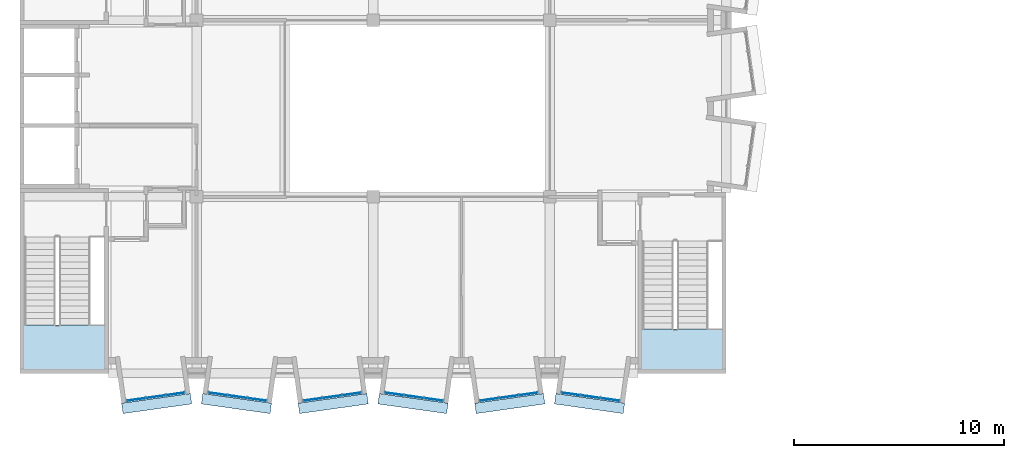
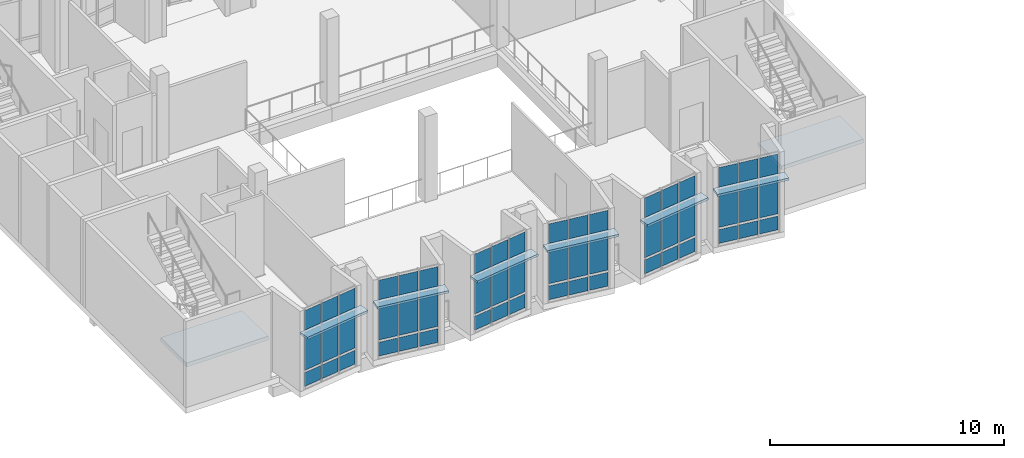
# One storey, part 68 of 95: 60 plates, 2 slabs, 8 elements without a shape of their own.
"""IFC4 building model written with IfcOpenShell, lengths in metres."""

from ifc_helpers import new_model, si_unit, direction, frame, origin, origin_2d, place, context, subcontext, project, spatial, polyline, rectangle, outline, extrude, material, layer, layer_set, type_object, element, aggregate, save


model = new_model("IFC4")

# Units and contexts
model_context = context("Model", 3, precision=1e-05, world=origin(), true_north=direction((0.0, 1.0)))
body_context = subcontext(model_context, "Body", "Model", "MODEL_VIEW")
ifc_project = project(units=[si_unit("LENGTHUNIT", "METRE"), si_unit("AREAUNIT", "SQUARE_METRE"), si_unit("VOLUMEUNIT", "CUBIC_METRE"), si_unit("PLANEANGLEUNIT", "RADIAN"), si_unit("MASSUNIT", "GRAM", prefix="KILO")], contexts=[model_context])

# Site, building, storey
site_placement = place(None, origin())
site = spatial("IfcSite", under=ifc_project, at=site_placement, CompositionType="ELEMENT")
building_placement = place(site_placement, origin())
building = spatial("IfcBuilding", under=site, at=building_placement, Name="Kiln Court Media Centre", CompositionType="ELEMENT")
storey_placement = place(building_placement, frame((0.0, 0.0, 24.60009765625)))
storey = spatial("IfcBuildingStorey", under=building, at=storey_placement, Name="L05", CompositionType="ELEMENT", Elevation=24.60009765625)

# Plates
ifc_material_1 = material(Name="Concrete C30/37", Category="concrete")
ifc_layer_1 = layer(ifc_material_1, 0.1201171875)
ifc_layer_set_1 = layer_set([ifc_layer_1], Name="Concrete C30/37 sunshade hood 120")
plate_type_1 = type_object("IfcPlateType", Name="Concrete C30/37 sunshade hood 120", PredefinedType="USERDEFINED", material=ifc_layer_set_1)
plate_1_placement = place(storey_placement, frame((0.0, 0.0, 3.0)))
element("IfcPlate", 1, at=plate_1_placement, inside=storey, type_object=plate_type_1, Name="SUNSHADE V6A-S-L05-32", ObjectType="SUNSHADE", PredefinedType="USERDEFINED", context=body_context, shape_type="SweptSolid", body=[
    extrude(outline(polyline([(4.8330078125, -1.41796875), (8.10107421875, -0.958740234375), (8.17041015625, -1.453857421875), (4.902587890625, -1.9130859375), (4.8330078125, -1.41796875)])), origin(), (0.0, 0.0, 1.0), 0.119873046875),
])
plate_2_placement = place(storey_placement, frame((0.0, 0.0, 3.0)))
element("IfcPlate", 2, at=plate_2_placement, inside=storey, type_object=plate_type_1, Name="SUNSHADE V6A-S-L05-33", ObjectType="SUNSHADE", PredefinedType="USERDEFINED", context=body_context, shape_type="SweptSolid", body=[
    extrude(outline(polyline([(8.698974609375, -0.958740234375), (11.966796875, -1.41796875), (11.897216796875, -1.9130859375), (8.62939453125, -1.453857421875), (8.698974609375, -0.958740234375)])), origin(), (0.0, 0.0, 1.0), 0.119873046875),
])
plate_3_placement = place(storey_placement, frame((0.0, 0.0, 3.0)))
element("IfcPlate", 3, at=plate_3_placement, inside=storey, type_object=plate_type_1, Name="SUNSHADE V6A-S-L05-34", ObjectType="SUNSHADE", PredefinedType="USERDEFINED", context=body_context, shape_type="SweptSolid", body=[
    extrude(outline(polyline([(13.233154296875, -1.41796875), (16.5009765625, -0.958740234375), (16.570556640625, -1.453857421875), (13.302734375, -1.9130859375), (13.233154296875, -1.41796875)])), origin(), (0.0, 0.0, 1.0), 0.119873046875),
])
plate_4_placement = place(storey_placement, frame((0.0, 0.0, 3.0)))
element("IfcPlate", 4, at=plate_4_placement, inside=storey, type_object=plate_type_1, Name="SUNSHADE V6A-S-L05-35", ObjectType="SUNSHADE", PredefinedType="USERDEFINED", context=body_context, shape_type="SweptSolid", body=[
    extrude(outline(polyline([(17.09912109375, -0.958740234375), (20.366943359375, -1.41796875), (20.29736328125, -1.9130859375), (17.029541015625, -1.453857421875), (17.09912109375, -0.958740234375)])), origin(), (0.0, 0.0, 1.0), 0.119873046875),
])
plate_5_placement = place(storey_placement, frame((0.0, 0.0, 3.0)))
element("IfcPlate", 5, at=plate_5_placement, inside=storey, type_object=plate_type_1, Name="SUNSHADE V6A-S-L05-36", ObjectType="SUNSHADE", PredefinedType="USERDEFINED", context=body_context, shape_type="SweptSolid", body=[
    extrude(outline(polyline([(21.633056640625, -1.41796875), (24.90087890625, -0.958740234375), (24.970458984375, -1.453857421875), (21.70263671875, -1.9130859375), (21.633056640625, -1.41796875)])), origin(), (0.0, 0.0, 1.0), 0.119873046875),
])
plate_6_placement = place(storey_placement, frame((0.0, 0.0, 3.0)))
element("IfcPlate", 6, at=plate_6_placement, inside=storey, type_object=plate_type_1, Name="SUNSHADE V6A-S-L05-37", ObjectType="SUNSHADE", PredefinedType="USERDEFINED", context=body_context, shape_type="SweptSolid", body=[
    extrude(outline(polyline([(25.4990234375, -0.958740234375), (28.766845703125, -1.41796875), (28.697265625, -1.9130859375), (25.429443359375, -1.453857421875), (25.4990234375, -0.958740234375)])), origin(), (0.0, 0.0, 1.0), 0.119873046875),
])

# Stair, slab
ifc_material_2 = material(Name="Concrete C40/50", Category="concrete")
stair_type = type_object("IfcStairType", Name="Concrete C40/50 dog-leg stair 1500 wide, 150 riser", PredefinedType="HALF_TURN_STAIR", material=ifc_material_2)
stair_1_placement = place(storey_placement, origin())
stair_1 = element("IfcStair", 7, at=stair_1_placement, inside=storey, type_object=stair_type, Name="ST-01 L05", PredefinedType="HALF_TURN_STAIR")
ifc_material_3 = material(Name="Concrete C40/50", Category="concrete")
ifc_layer_2 = layer(ifc_material_3, 0.199951171875)
ifc_layer_set_2 = layer_set([ifc_layer_2], Name="Concrete C40/50 stair landing 200")
slab_type = type_object("IfcSlabType", Name="Concrete C40/50 stair landing 200", PredefinedType="LANDING", material=ifc_layer_set_2)
slab_1_placement = place(storey_placement, frame((0.0, 0.0, 2.0498046875)))
slab_1 = element("IfcSlab", 8, at=slab_1_placement, type_object=slab_type, Name="L05-ST-5000 landing 5000", PredefinedType="LANDING", context=body_context, shape_type="SweptSolid", body=[
    extrude(outline(polyline([(0.080078125, 2.300048828125), (0.080078125, 0.080078125), (4.1201171875, 0.080078125), (4.1201171875, 2.300048828125), (0.080078125, 2.300048828125)])), origin(), (0.0, 0.0, 1.0), 0.2001953125),
])
aggregate(stair_1, [slab_1])

stair_2_placement = place(storey_placement, origin())
stair_2 = element("IfcStair", 9, at=stair_2_placement, inside=storey, type_object=stair_type, Name="ST-03 L05", PredefinedType="HALF_TURN_STAIR")
slab_2_placement = place(storey_placement, frame((0.0, 0.0, 2.0498046875)))
slab_2 = element("IfcSlab", 10, at=slab_2_placement, type_object=slab_type, Name="L05-ST-5002 landing 5002", PredefinedType="LANDING", context=body_context, shape_type="SweptSolid", body=[
    extrude(outline(polyline([(29.47998046875, 2.10009765625), (29.47998046875, 0.080078125), (33.52001953125, 0.080078125), (33.52001953125, 2.10009765625), (29.47998046875, 2.10009765625)])), origin(), (0.0, 0.0, 1.0), 0.2001953125),
])
aggregate(stair_2, [slab_2])

# Curtain wall, plates
ifc_material_4 = material(Name="Aluminium 6063-T6", Category="aluminium")
ifc_layer_3 = layer(ifc_material_4, 0.1201171875)
ifc_layer_set_3 = layer_set([ifc_layer_3], Name="Aluminium unitised bay curtain wall")
curtain_wall_type = type_object("IfcCurtainWallType", Name="Aluminium unitised bay curtain wall", PredefinedType="USERDEFINED", material=ifc_layer_set_3)
curtain_wall_1_placement = place(storey_placement, origin())
curtain_wall_1 = element("IfcCurtainWall", 11, at=curtain_wall_1_placement, inside=storey, type_object=curtain_wall_type, Name="BAY V6A-S-L05-32 front", ObjectType="UNITISED CURTAIN WALL", PredefinedType="USERDEFINED")
ifc_material_5 = material(Name="Aluminium insulated spandrel", Category="aluminium")
ifc_layer_4 = layer(ifc_material_5, 0.028076171875)
ifc_layer_set_4 = layer_set([ifc_layer_4], Name="Insulated spandrel panel 28")
plate_type_2 = type_object("IfcPlateType", Name="Insulated spandrel panel 28", PredefinedType="CURTAIN_PANEL", material=ifc_layer_set_4)
plate_7_placement = place(storey_placement, frame((5.5234375, -1.240234375, 0.1201171875), z_axis=(0.0, 0.0, 1.0), x_axis=(0.990269562409, 0.139162472554, 0.0)))
plate_7 = element("IfcPlate", 12, at=plate_7_placement, type_object=plate_type_2, Name="CW5-15 panel 1.1", PredefinedType="CURTAIN_PANEL", context=body_context, shape_type="SweptSolid", body=[
    extrude(rectangle(XDim=0.86669921875, YDim=0.028076171875, at=origin_2d()), origin(), (0.0, 0.0, 1.0), 0.719970703125),
])
plate_8_placement = place(storey_placement, frame((6.455810546875, -1.109130859375, 0.1201171875), z_axis=(0.0, 0.0, 1.0), x_axis=(0.990269562409, 0.139162472554, 0.0)))
plate_8 = element("IfcPlate", 13, at=plate_8_placement, type_object=plate_type_2, Name="CW5-15 panel 2.1", PredefinedType="CURTAIN_PANEL", context=body_context, shape_type="SweptSolid", body=[
    extrude(rectangle(XDim=0.896728515625, YDim=0.028076171875, at=origin_2d()), origin(), (0.0, 0.0, 1.0), 0.719970703125),
])
plate_9_placement = place(storey_placement, frame((7.388427734375, -0.97802734375, 0.1201171875), z_axis=(0.0, 0.0, 1.0), x_axis=(0.990269562409, 0.139162472554, 0.0)))
plate_9 = element("IfcPlate", 14, at=plate_9_placement, type_object=plate_type_2, Name="CW5-15 panel 3.1", PredefinedType="CURTAIN_PANEL", context=body_context, shape_type="SweptSolid", body=[
    extrude(rectangle(XDim=0.86669921875, YDim=0.028076171875, at=origin_2d()), origin(), (0.0, 0.0, 1.0), 0.719970703125),
])

curtain_wall_2_placement = place(storey_placement, origin())
curtain_wall_2 = element("IfcCurtainWall", 15, at=curtain_wall_2_placement, inside=storey, type_object=curtain_wall_type, Name="BAY V6A-S-L05-33 front", ObjectType="UNITISED CURTAIN WALL", PredefinedType="USERDEFINED")
plate_10_placement = place(storey_placement, frame((9.41162109375, -0.97802734375, 0.1201171875), z_axis=(0.0, 0.0, 1.0), x_axis=(0.990269562409, -0.139162472554, 0.0)))
plate_10 = element("IfcPlate", 16, at=plate_10_placement, type_object=plate_type_2, Name="CW5-16 panel 1.1", PredefinedType="CURTAIN_PANEL", context=body_context, shape_type="SweptSolid", body=[
    extrude(rectangle(XDim=0.86669921875, YDim=0.028076171875, at=origin_2d()), origin(), (0.0, 0.0, 1.0), 0.719970703125),
])
plate_11_placement = place(storey_placement, frame((10.34423828125, -1.109130859375, 0.1201171875), z_axis=(0.0, 0.0, 1.0), x_axis=(0.990269562409, -0.139162472554, 0.0)))
plate_11 = element("IfcPlate", 17, at=plate_11_placement, type_object=plate_type_2, Name="CW5-16 panel 2.1", PredefinedType="CURTAIN_PANEL", context=body_context, shape_type="SweptSolid", body=[
    extrude(rectangle(XDim=0.896728515625, YDim=0.028076171875, at=origin_2d()), origin(), (0.0, 0.0, 1.0), 0.719970703125),
])
plate_12_placement = place(storey_placement, frame((11.276611328125, -1.240234375, 0.1201171875), z_axis=(0.0, 0.0, 1.0), x_axis=(0.990269562409, -0.139162472554, 0.0)))
plate_12 = element("IfcPlate", 18, at=plate_12_placement, type_object=plate_type_2, Name="CW5-16 panel 3.1", PredefinedType="CURTAIN_PANEL", context=body_context, shape_type="SweptSolid", body=[
    extrude(rectangle(XDim=0.86669921875, YDim=0.028076171875, at=origin_2d()), origin(), (0.0, 0.0, 1.0), 0.719970703125),
])

curtain_wall_3_placement = place(storey_placement, origin())
curtain_wall_3 = element("IfcCurtainWall", 19, at=curtain_wall_3_placement, inside=storey, type_object=curtain_wall_type, Name="BAY V6A-S-L05-34 front", ObjectType="UNITISED CURTAIN WALL", PredefinedType="USERDEFINED")
plate_13_placement = place(storey_placement, frame((13.92333984375, -1.240234375, 0.1201171875), z_axis=(0.0, 0.0, 1.0), x_axis=(0.990269562409, 0.139162472554, 0.0)))
plate_13 = element("IfcPlate", 20, at=plate_13_placement, type_object=plate_type_2, Name="CW5-17 panel 1.1", PredefinedType="CURTAIN_PANEL", context=body_context, shape_type="SweptSolid", body=[
    extrude(rectangle(XDim=0.86669921875, YDim=0.028076171875, at=origin_2d()), origin(), (0.0, 0.0, 1.0), 0.719970703125),
])
plate_14_placement = place(storey_placement, frame((14.85595703125, -1.109130859375, 0.1201171875), z_axis=(0.0, 0.0, 1.0), x_axis=(0.990269562409, 0.139162472554, 0.0)))
plate_14 = element("IfcPlate", 21, at=plate_14_placement, type_object=plate_type_2, Name="CW5-17 panel 2.1", PredefinedType="CURTAIN_PANEL", context=body_context, shape_type="SweptSolid", body=[
    extrude(rectangle(XDim=0.896728515625, YDim=0.028076171875, at=origin_2d()), origin(), (0.0, 0.0, 1.0), 0.719970703125),
])
plate_15_placement = place(storey_placement, frame((15.788330078125, -0.97802734375, 0.1201171875), z_axis=(0.0, 0.0, 1.0), x_axis=(0.990269562409, 0.139162472554, 0.0)))
plate_15 = element("IfcPlate", 22, at=plate_15_placement, type_object=plate_type_2, Name="CW5-17 panel 3.1", PredefinedType="CURTAIN_PANEL", context=body_context, shape_type="SweptSolid", body=[
    extrude(rectangle(XDim=0.86669921875, YDim=0.028076171875, at=origin_2d()), origin(), (0.0, 0.0, 1.0), 0.719970703125),
])

curtain_wall_4_placement = place(storey_placement, origin())
curtain_wall_4 = element("IfcCurtainWall", 23, at=curtain_wall_4_placement, inside=storey, type_object=curtain_wall_type, Name="BAY V6A-S-L05-35 front", ObjectType="UNITISED CURTAIN WALL", PredefinedType="USERDEFINED")
plate_16_placement = place(storey_placement, frame((17.8115234375, -0.97802734375, 0.1201171875), z_axis=(0.0, 0.0, 1.0), x_axis=(0.990269562409, -0.139162472554, 0.0)))
plate_16 = element("IfcPlate", 24, at=plate_16_placement, type_object=plate_type_2, Name="CW5-18 panel 1.1", PredefinedType="CURTAIN_PANEL", context=body_context, shape_type="SweptSolid", body=[
    extrude(rectangle(XDim=0.86669921875, YDim=0.028076171875, at=origin_2d()), origin(), (0.0, 0.0, 1.0), 0.719970703125),
])
plate_17_placement = place(storey_placement, frame((18.744140625, -1.109130859375, 0.1201171875), z_axis=(0.0, 0.0, 1.0), x_axis=(0.990269562409, -0.139162472554, 0.0)))
plate_17 = element("IfcPlate", 25, at=plate_17_placement, type_object=plate_type_2, Name="CW5-18 panel 2.1", PredefinedType="CURTAIN_PANEL", context=body_context, shape_type="SweptSolid", body=[
    extrude(rectangle(XDim=0.896728515625, YDim=0.028076171875, at=origin_2d()), origin(), (0.0, 0.0, 1.0), 0.719970703125),
])
plate_18_placement = place(storey_placement, frame((19.6767578125, -1.240234375, 0.1201171875), z_axis=(0.0, 0.0, 1.0), x_axis=(0.990269562409, -0.139162472554, 0.0)))
plate_18 = element("IfcPlate", 26, at=plate_18_placement, type_object=plate_type_2, Name="CW5-18 panel 3.1", PredefinedType="CURTAIN_PANEL", context=body_context, shape_type="SweptSolid", body=[
    extrude(rectangle(XDim=0.86669921875, YDim=0.028076171875, at=origin_2d()), origin(), (0.0, 0.0, 1.0), 0.719970703125),
])

curtain_wall_5_placement = place(storey_placement, origin())
curtain_wall_5 = element("IfcCurtainWall", 27, at=curtain_wall_5_placement, inside=storey, type_object=curtain_wall_type, Name="BAY V6A-S-L05-36 front", ObjectType="UNITISED CURTAIN WALL", PredefinedType="USERDEFINED")
plate_19_placement = place(storey_placement, frame((22.3232421875, -1.240234375, 0.1201171875), z_axis=(0.0, 0.0, 1.0), x_axis=(0.990269562409, 0.139162472554, 0.0)))
plate_19 = element("IfcPlate", 28, at=plate_19_placement, type_object=plate_type_2, Name="CW5-19 panel 1.1", PredefinedType="CURTAIN_PANEL", context=body_context, shape_type="SweptSolid", body=[
    extrude(rectangle(XDim=0.86669921875, YDim=0.028076171875, at=origin_2d()), origin(), (0.0, 0.0, 1.0), 0.719970703125),
])
plate_20_placement = place(storey_placement, frame((23.255859375, -1.109130859375, 0.1201171875), z_axis=(0.0, 0.0, 1.0), x_axis=(0.990269562409, 0.139162472554, 0.0)))
plate_20 = element("IfcPlate", 29, at=plate_20_placement, type_object=plate_type_2, Name="CW5-19 panel 2.1", PredefinedType="CURTAIN_PANEL", context=body_context, shape_type="SweptSolid", body=[
    extrude(rectangle(XDim=0.896728515625, YDim=0.028076171875, at=origin_2d()), origin(), (0.0, 0.0, 1.0), 0.719970703125),
])
plate_21_placement = place(storey_placement, frame((24.1884765625, -0.97802734375, 0.1201171875), z_axis=(0.0, 0.0, 1.0), x_axis=(0.990269562409, 0.139162472554, 0.0)))
plate_21 = element("IfcPlate", 30, at=plate_21_placement, type_object=plate_type_2, Name="CW5-19 panel 3.1", PredefinedType="CURTAIN_PANEL", context=body_context, shape_type="SweptSolid", body=[
    extrude(rectangle(XDim=0.86669921875, YDim=0.028076171875, at=origin_2d()), origin(), (0.0, 0.0, 1.0), 0.719970703125),
])

curtain_wall_6_placement = place(storey_placement, origin())
curtain_wall_6 = element("IfcCurtainWall", 31, at=curtain_wall_6_placement, inside=storey, type_object=curtain_wall_type, Name="BAY V6A-S-L05-37 front", ObjectType="UNITISED CURTAIN WALL", PredefinedType="USERDEFINED")
plate_22_placement = place(storey_placement, frame((26.211669921875, -0.97802734375, 0.1201171875), z_axis=(0.0, 0.0, 1.0), x_axis=(0.990269562409, -0.139162472554, 0.0)))
plate_22 = element("IfcPlate", 32, at=plate_22_placement, type_object=plate_type_2, Name="CW5-20 panel 1.1", PredefinedType="CURTAIN_PANEL", context=body_context, shape_type="SweptSolid", body=[
    extrude(rectangle(XDim=0.86669921875, YDim=0.028076171875, at=origin_2d()), origin(), (0.0, 0.0, 1.0), 0.719970703125),
])
plate_23_placement = place(storey_placement, frame((27.14404296875, -1.109130859375, 0.1201171875), z_axis=(0.0, 0.0, 1.0), x_axis=(0.990269562409, -0.139162472554, 0.0)))
plate_23 = element("IfcPlate", 33, at=plate_23_placement, type_object=plate_type_2, Name="CW5-20 panel 2.1", PredefinedType="CURTAIN_PANEL", context=body_context, shape_type="SweptSolid", body=[
    extrude(rectangle(XDim=0.896728515625, YDim=0.028076171875, at=origin_2d()), origin(), (0.0, 0.0, 1.0), 0.719970703125),
])
plate_24_placement = place(storey_placement, frame((28.07666015625, -1.240234375, 0.1201171875), z_axis=(0.0, 0.0, 1.0), x_axis=(0.990269562409, -0.139162472554, 0.0)))
plate_24 = element("IfcPlate", 34, at=plate_24_placement, type_object=plate_type_2, Name="CW5-20 panel 3.1", PredefinedType="CURTAIN_PANEL", context=body_context, shape_type="SweptSolid", body=[
    extrude(rectangle(XDim=0.86669921875, YDim=0.028076171875, at=origin_2d()), origin(), (0.0, 0.0, 1.0), 0.719970703125),
])

# Plate
ifc_material_6 = material(Name="Low-E double glazing", Category="glass")
ifc_layer_5 = layer(ifc_material_6, 0.028076171875)
ifc_layer_set_5 = layer_set([ifc_layer_5], Name="Low-E double glazed panel 28")
plate_type_3 = type_object("IfcPlateType", Name="Low-E double glazed panel 28", PredefinedType="CURTAIN_PANEL", material=ifc_layer_set_5)
plate_25_placement = place(storey_placement, frame((5.5234375, -1.240234375, 0.9599609375), z_axis=(0.0, 0.0, 1.0), x_axis=(0.990269562409, 0.139162472554, 0.0)))
plate_25 = element("IfcPlate", 35, at=plate_25_placement, type_object=plate_type_3, Name="CW5-15 panel 1.2", PredefinedType="CURTAIN_PANEL", context=body_context, shape_type="SweptSolid", body=[
    extrude(rectangle(XDim=0.86669921875, YDim=0.028076171875, at=origin_2d()), origin(), (0.0, 0.0, 1.0), 1.97998046875),
])

plate_26_placement = place(storey_placement, frame((5.5234375, -1.240234375, 3.059814453125), z_axis=(0.0, 0.0, 1.0), x_axis=(0.990269562409, 0.139162472554, 0.0)))
plate_26 = element("IfcPlate", 36, at=plate_26_placement, type_object=plate_type_3, Name="CW5-15 panel 1.3", PredefinedType="CURTAIN_PANEL", context=body_context, shape_type="SweptSolid", body=[
    extrude(rectangle(XDim=0.86669921875, YDim=0.028076171875, at=origin_2d()), origin(), (0.0, 0.0, 1.0), 1.02001953125),
])

plate_27_placement = place(storey_placement, frame((6.455810546875, -1.109130859375, 0.9599609375), z_axis=(0.0, 0.0, 1.0), x_axis=(0.990269562409, 0.139162472554, 0.0)))
plate_27 = element("IfcPlate", 37, at=plate_27_placement, type_object=plate_type_3, Name="CW5-15 panel 2.2", PredefinedType="CURTAIN_PANEL", context=body_context, shape_type="SweptSolid", body=[
    extrude(rectangle(XDim=0.896728515625, YDim=0.028076171875, at=origin_2d()), origin(), (0.0, 0.0, 1.0), 1.97998046875),
])

plate_28_placement = place(storey_placement, frame((6.455810546875, -1.109130859375, 3.059814453125), z_axis=(0.0, 0.0, 1.0), x_axis=(0.990269562409, 0.139162472554, 0.0)))
plate_28 = element("IfcPlate", 38, at=plate_28_placement, type_object=plate_type_3, Name="CW5-15 panel 2.3", PredefinedType="CURTAIN_PANEL", context=body_context, shape_type="SweptSolid", body=[
    extrude(rectangle(XDim=0.896728515625, YDim=0.028076171875, at=origin_2d()), origin(), (0.0, 0.0, 1.0), 1.02001953125),
])

plate_29_placement = place(storey_placement, frame((7.388427734375, -0.97802734375, 0.9599609375), z_axis=(0.0, 0.0, 1.0), x_axis=(0.990269562409, 0.139162472554, 0.0)))
plate_29 = element("IfcPlate", 39, at=plate_29_placement, type_object=plate_type_3, Name="CW5-15 panel 3.2", PredefinedType="CURTAIN_PANEL", context=body_context, shape_type="SweptSolid", body=[
    extrude(rectangle(XDim=0.86669921875, YDim=0.028076171875, at=origin_2d()), origin(), (0.0, 0.0, 1.0), 1.97998046875),
])

plate_30_placement = place(storey_placement, frame((7.388427734375, -0.97802734375, 3.059814453125), z_axis=(0.0, 0.0, 1.0), x_axis=(0.990269562409, 0.139162472554, 0.0)))
plate_30 = element("IfcPlate", 40, at=plate_30_placement, type_object=plate_type_3, Name="CW5-15 panel 3.3", PredefinedType="CURTAIN_PANEL", context=body_context, shape_type="SweptSolid", body=[
    extrude(rectangle(XDim=0.86669921875, YDim=0.028076171875, at=origin_2d()), origin(), (0.0, 0.0, 1.0), 1.02001953125),
])

aggregate(curtain_wall_1, [plate_7, plate_25, plate_26, plate_8, plate_27, plate_28, plate_9, plate_29, plate_30])

plate_31_placement = place(storey_placement, frame((9.41162109375, -0.97802734375, 0.9599609375), z_axis=(0.0, 0.0, 1.0), x_axis=(0.990269562409, -0.139162472554, 0.0)))
plate_31 = element("IfcPlate", 41, at=plate_31_placement, type_object=plate_type_3, Name="CW5-16 panel 1.2", PredefinedType="CURTAIN_PANEL", context=body_context, shape_type="SweptSolid", body=[
    extrude(rectangle(XDim=0.86669921875, YDim=0.028076171875, at=origin_2d()), origin(), (0.0, 0.0, 1.0), 1.97998046875),
])

plate_32_placement = place(storey_placement, frame((9.41162109375, -0.97802734375, 3.059814453125), z_axis=(0.0, 0.0, 1.0), x_axis=(0.990269562409, -0.139162472554, 0.0)))
plate_32 = element("IfcPlate", 42, at=plate_32_placement, type_object=plate_type_3, Name="CW5-16 panel 1.3", PredefinedType="CURTAIN_PANEL", context=body_context, shape_type="SweptSolid", body=[
    extrude(rectangle(XDim=0.86669921875, YDim=0.028076171875, at=origin_2d()), origin(), (0.0, 0.0, 1.0), 1.02001953125),
])

plate_33_placement = place(storey_placement, frame((10.34423828125, -1.109130859375, 0.9599609375), z_axis=(0.0, 0.0, 1.0), x_axis=(0.990269562409, -0.139162472554, 0.0)))
plate_33 = element("IfcPlate", 43, at=plate_33_placement, type_object=plate_type_3, Name="CW5-16 panel 2.2", PredefinedType="CURTAIN_PANEL", context=body_context, shape_type="SweptSolid", body=[
    extrude(rectangle(XDim=0.896728515625, YDim=0.028076171875, at=origin_2d()), origin(), (0.0, 0.0, 1.0), 1.97998046875),
])

plate_34_placement = place(storey_placement, frame((10.34423828125, -1.109130859375, 3.059814453125), z_axis=(0.0, 0.0, 1.0), x_axis=(0.990269562409, -0.139162472554, 0.0)))
plate_34 = element("IfcPlate", 44, at=plate_34_placement, type_object=plate_type_3, Name="CW5-16 panel 2.3", PredefinedType="CURTAIN_PANEL", context=body_context, shape_type="SweptSolid", body=[
    extrude(rectangle(XDim=0.896728515625, YDim=0.028076171875, at=origin_2d()), origin(), (0.0, 0.0, 1.0), 1.02001953125),
])

plate_35_placement = place(storey_placement, frame((11.276611328125, -1.240234375, 0.9599609375), z_axis=(0.0, 0.0, 1.0), x_axis=(0.990269562409, -0.139162472554, 0.0)))
plate_35 = element("IfcPlate", 45, at=plate_35_placement, type_object=plate_type_3, Name="CW5-16 panel 3.2", PredefinedType="CURTAIN_PANEL", context=body_context, shape_type="SweptSolid", body=[
    extrude(rectangle(XDim=0.86669921875, YDim=0.028076171875, at=origin_2d()), origin(), (0.0, 0.0, 1.0), 1.97998046875),
])

plate_36_placement = place(storey_placement, frame((11.276611328125, -1.240234375, 3.059814453125), z_axis=(0.0, 0.0, 1.0), x_axis=(0.990269562409, -0.139162472554, 0.0)))
plate_36 = element("IfcPlate", 46, at=plate_36_placement, type_object=plate_type_3, Name="CW5-16 panel 3.3", PredefinedType="CURTAIN_PANEL", context=body_context, shape_type="SweptSolid", body=[
    extrude(rectangle(XDim=0.86669921875, YDim=0.028076171875, at=origin_2d()), origin(), (0.0, 0.0, 1.0), 1.02001953125),
])

aggregate(curtain_wall_2, [plate_10, plate_31, plate_32, plate_11, plate_33, plate_34, plate_12, plate_35, plate_36])

plate_37_placement = place(storey_placement, frame((13.92333984375, -1.240234375, 0.9599609375), z_axis=(0.0, 0.0, 1.0), x_axis=(0.990269562409, 0.139162472554, 0.0)))
plate_37 = element("IfcPlate", 47, at=plate_37_placement, type_object=plate_type_3, Name="CW5-17 panel 1.2", PredefinedType="CURTAIN_PANEL", context=body_context, shape_type="SweptSolid", body=[
    extrude(rectangle(XDim=0.86669921875, YDim=0.028076171875, at=origin_2d()), origin(), (0.0, 0.0, 1.0), 1.97998046875),
])

plate_38_placement = place(storey_placement, frame((13.92333984375, -1.240234375, 3.059814453125), z_axis=(0.0, 0.0, 1.0), x_axis=(0.990269562409, 0.139162472554, 0.0)))
plate_38 = element("IfcPlate", 48, at=plate_38_placement, type_object=plate_type_3, Name="CW5-17 panel 1.3", PredefinedType="CURTAIN_PANEL", context=body_context, shape_type="SweptSolid", body=[
    extrude(rectangle(XDim=0.86669921875, YDim=0.028076171875, at=origin_2d()), origin(), (0.0, 0.0, 1.0), 1.02001953125),
])

plate_39_placement = place(storey_placement, frame((14.85595703125, -1.109130859375, 0.9599609375), z_axis=(0.0, 0.0, 1.0), x_axis=(0.990269562409, 0.139162472554, 0.0)))
plate_39 = element("IfcPlate", 49, at=plate_39_placement, type_object=plate_type_3, Name="CW5-17 panel 2.2", PredefinedType="CURTAIN_PANEL", context=body_context, shape_type="SweptSolid", body=[
    extrude(rectangle(XDim=0.896728515625, YDim=0.028076171875, at=origin_2d()), origin(), (0.0, 0.0, 1.0), 1.97998046875),
])

plate_40_placement = place(storey_placement, frame((14.85595703125, -1.109130859375, 3.059814453125), z_axis=(0.0, 0.0, 1.0), x_axis=(0.990269562409, 0.139162472554, 0.0)))
plate_40 = element("IfcPlate", 50, at=plate_40_placement, type_object=plate_type_3, Name="CW5-17 panel 2.3", PredefinedType="CURTAIN_PANEL", context=body_context, shape_type="SweptSolid", body=[
    extrude(rectangle(XDim=0.896728515625, YDim=0.028076171875, at=origin_2d()), origin(), (0.0, 0.0, 1.0), 1.02001953125),
])

plate_41_placement = place(storey_placement, frame((15.788330078125, -0.97802734375, 0.9599609375), z_axis=(0.0, 0.0, 1.0), x_axis=(0.990269562409, 0.139162472554, 0.0)))
plate_41 = element("IfcPlate", 51, at=plate_41_placement, type_object=plate_type_3, Name="CW5-17 panel 3.2", PredefinedType="CURTAIN_PANEL", context=body_context, shape_type="SweptSolid", body=[
    extrude(rectangle(XDim=0.86669921875, YDim=0.028076171875, at=origin_2d()), origin(), (0.0, 0.0, 1.0), 1.97998046875),
])

plate_42_placement = place(storey_placement, frame((15.788330078125, -0.97802734375, 3.059814453125), z_axis=(0.0, 0.0, 1.0), x_axis=(0.990269562409, 0.139162472554, 0.0)))
plate_42 = element("IfcPlate", 52, at=plate_42_placement, type_object=plate_type_3, Name="CW5-17 panel 3.3", PredefinedType="CURTAIN_PANEL", context=body_context, shape_type="SweptSolid", body=[
    extrude(rectangle(XDim=0.86669921875, YDim=0.028076171875, at=origin_2d()), origin(), (0.0, 0.0, 1.0), 1.02001953125),
])

aggregate(curtain_wall_3, [plate_13, plate_37, plate_38, plate_14, plate_39, plate_40, plate_15, plate_41, plate_42])

plate_43_placement = place(storey_placement, frame((17.8115234375, -0.97802734375, 0.9599609375), z_axis=(0.0, 0.0, 1.0), x_axis=(0.990269562409, -0.139162472554, 0.0)))
plate_43 = element("IfcPlate", 53, at=plate_43_placement, type_object=plate_type_3, Name="CW5-18 panel 1.2", PredefinedType="CURTAIN_PANEL", context=body_context, shape_type="SweptSolid", body=[
    extrude(rectangle(XDim=0.86669921875, YDim=0.028076171875, at=origin_2d()), origin(), (0.0, 0.0, 1.0), 1.97998046875),
])

plate_44_placement = place(storey_placement, frame((17.8115234375, -0.97802734375, 3.059814453125), z_axis=(0.0, 0.0, 1.0), x_axis=(0.990269562409, -0.139162472554, 0.0)))
plate_44 = element("IfcPlate", 54, at=plate_44_placement, type_object=plate_type_3, Name="CW5-18 panel 1.3", PredefinedType="CURTAIN_PANEL", context=body_context, shape_type="SweptSolid", body=[
    extrude(rectangle(XDim=0.86669921875, YDim=0.028076171875, at=origin_2d()), origin(), (0.0, 0.0, 1.0), 1.02001953125),
])

plate_45_placement = place(storey_placement, frame((18.744140625, -1.109130859375, 0.9599609375), z_axis=(0.0, 0.0, 1.0), x_axis=(0.990269562409, -0.139162472554, 0.0)))
plate_45 = element("IfcPlate", 55, at=plate_45_placement, type_object=plate_type_3, Name="CW5-18 panel 2.2", PredefinedType="CURTAIN_PANEL", context=body_context, shape_type="SweptSolid", body=[
    extrude(rectangle(XDim=0.896728515625, YDim=0.028076171875, at=origin_2d()), origin(), (0.0, 0.0, 1.0), 1.97998046875),
])

plate_46_placement = place(storey_placement, frame((18.744140625, -1.109130859375, 3.059814453125), z_axis=(0.0, 0.0, 1.0), x_axis=(0.990269562409, -0.139162472554, 0.0)))
plate_46 = element("IfcPlate", 56, at=plate_46_placement, type_object=plate_type_3, Name="CW5-18 panel 2.3", PredefinedType="CURTAIN_PANEL", context=body_context, shape_type="SweptSolid", body=[
    extrude(rectangle(XDim=0.896728515625, YDim=0.028076171875, at=origin_2d()), origin(), (0.0, 0.0, 1.0), 1.02001953125),
])

plate_47_placement = place(storey_placement, frame((19.6767578125, -1.240234375, 0.9599609375), z_axis=(0.0, 0.0, 1.0), x_axis=(0.990269562409, -0.139162472554, 0.0)))
plate_47 = element("IfcPlate", 57, at=plate_47_placement, type_object=plate_type_3, Name="CW5-18 panel 3.2", PredefinedType="CURTAIN_PANEL", context=body_context, shape_type="SweptSolid", body=[
    extrude(rectangle(XDim=0.86669921875, YDim=0.028076171875, at=origin_2d()), origin(), (0.0, 0.0, 1.0), 1.97998046875),
])

plate_48_placement = place(storey_placement, frame((19.6767578125, -1.240234375, 3.059814453125), z_axis=(0.0, 0.0, 1.0), x_axis=(0.990269562409, -0.139162472554, 0.0)))
plate_48 = element("IfcPlate", 58, at=plate_48_placement, type_object=plate_type_3, Name="CW5-18 panel 3.3", PredefinedType="CURTAIN_PANEL", context=body_context, shape_type="SweptSolid", body=[
    extrude(rectangle(XDim=0.86669921875, YDim=0.028076171875, at=origin_2d()), origin(), (0.0, 0.0, 1.0), 1.02001953125),
])

aggregate(curtain_wall_4, [plate_16, plate_43, plate_44, plate_17, plate_45, plate_46, plate_18, plate_47, plate_48])

plate_49_placement = place(storey_placement, frame((22.3232421875, -1.240234375, 0.9599609375), z_axis=(0.0, 0.0, 1.0), x_axis=(0.990269562409, 0.139162472554, 0.0)))
plate_49 = element("IfcPlate", 59, at=plate_49_placement, type_object=plate_type_3, Name="CW5-19 panel 1.2", PredefinedType="CURTAIN_PANEL", context=body_context, shape_type="SweptSolid", body=[
    extrude(rectangle(XDim=0.86669921875, YDim=0.028076171875, at=origin_2d()), origin(), (0.0, 0.0, 1.0), 1.97998046875),
])

plate_50_placement = place(storey_placement, frame((22.3232421875, -1.240234375, 3.059814453125), z_axis=(0.0, 0.0, 1.0), x_axis=(0.990269562409, 0.139162472554, 0.0)))
plate_50 = element("IfcPlate", 60, at=plate_50_placement, type_object=plate_type_3, Name="CW5-19 panel 1.3", PredefinedType="CURTAIN_PANEL", context=body_context, shape_type="SweptSolid", body=[
    extrude(rectangle(XDim=0.86669921875, YDim=0.028076171875, at=origin_2d()), origin(), (0.0, 0.0, 1.0), 1.02001953125),
])

plate_51_placement = place(storey_placement, frame((23.255859375, -1.109130859375, 0.9599609375), z_axis=(0.0, 0.0, 1.0), x_axis=(0.990269562409, 0.139162472554, 0.0)))
plate_51 = element("IfcPlate", 61, at=plate_51_placement, type_object=plate_type_3, Name="CW5-19 panel 2.2", PredefinedType="CURTAIN_PANEL", context=body_context, shape_type="SweptSolid", body=[
    extrude(rectangle(XDim=0.896728515625, YDim=0.028076171875, at=origin_2d()), origin(), (0.0, 0.0, 1.0), 1.97998046875),
])

plate_52_placement = place(storey_placement, frame((23.255859375, -1.109130859375, 3.059814453125), z_axis=(0.0, 0.0, 1.0), x_axis=(0.990269562409, 0.139162472554, 0.0)))
plate_52 = element("IfcPlate", 62, at=plate_52_placement, type_object=plate_type_3, Name="CW5-19 panel 2.3", PredefinedType="CURTAIN_PANEL", context=body_context, shape_type="SweptSolid", body=[
    extrude(rectangle(XDim=0.896728515625, YDim=0.028076171875, at=origin_2d()), origin(), (0.0, 0.0, 1.0), 1.02001953125),
])

plate_53_placement = place(storey_placement, frame((24.1884765625, -0.97802734375, 0.9599609375), z_axis=(0.0, 0.0, 1.0), x_axis=(0.990269562409, 0.139162472554, 0.0)))
plate_53 = element("IfcPlate", 63, at=plate_53_placement, type_object=plate_type_3, Name="CW5-19 panel 3.2", PredefinedType="CURTAIN_PANEL", context=body_context, shape_type="SweptSolid", body=[
    extrude(rectangle(XDim=0.86669921875, YDim=0.028076171875, at=origin_2d()), origin(), (0.0, 0.0, 1.0), 1.97998046875),
])

plate_54_placement = place(storey_placement, frame((24.1884765625, -0.97802734375, 3.059814453125), z_axis=(0.0, 0.0, 1.0), x_axis=(0.990269562409, 0.139162472554, 0.0)))
plate_54 = element("IfcPlate", 64, at=plate_54_placement, type_object=plate_type_3, Name="CW5-19 panel 3.3", PredefinedType="CURTAIN_PANEL", context=body_context, shape_type="SweptSolid", body=[
    extrude(rectangle(XDim=0.86669921875, YDim=0.028076171875, at=origin_2d()), origin(), (0.0, 0.0, 1.0), 1.02001953125),
])

aggregate(curtain_wall_5, [plate_19, plate_49, plate_50, plate_20, plate_51, plate_52, plate_21, plate_53, plate_54])

plate_55_placement = place(storey_placement, frame((26.211669921875, -0.97802734375, 0.9599609375), z_axis=(0.0, 0.0, 1.0), x_axis=(0.990269562409, -0.139162472554, 0.0)))
plate_55 = element("IfcPlate", 65, at=plate_55_placement, type_object=plate_type_3, Name="CW5-20 panel 1.2", PredefinedType="CURTAIN_PANEL", context=body_context, shape_type="SweptSolid", body=[
    extrude(rectangle(XDim=0.86669921875, YDim=0.028076171875, at=origin_2d()), origin(), (0.0, 0.0, 1.0), 1.97998046875),
])

plate_56_placement = place(storey_placement, frame((26.211669921875, -0.97802734375, 3.059814453125), z_axis=(0.0, 0.0, 1.0), x_axis=(0.990269562409, -0.139162472554, 0.0)))
plate_56 = element("IfcPlate", 66, at=plate_56_placement, type_object=plate_type_3, Name="CW5-20 panel 1.3", PredefinedType="CURTAIN_PANEL", context=body_context, shape_type="SweptSolid", body=[
    extrude(rectangle(XDim=0.86669921875, YDim=0.028076171875, at=origin_2d()), origin(), (0.0, 0.0, 1.0), 1.02001953125),
])

plate_57_placement = place(storey_placement, frame((27.14404296875, -1.109130859375, 0.9599609375), z_axis=(0.0, 0.0, 1.0), x_axis=(0.990269562409, -0.139162472554, 0.0)))
plate_57 = element("IfcPlate", 67, at=plate_57_placement, type_object=plate_type_3, Name="CW5-20 panel 2.2", PredefinedType="CURTAIN_PANEL", context=body_context, shape_type="SweptSolid", body=[
    extrude(rectangle(XDim=0.896728515625, YDim=0.028076171875, at=origin_2d()), origin(), (0.0, 0.0, 1.0), 1.97998046875),
])

plate_58_placement = place(storey_placement, frame((27.14404296875, -1.109130859375, 3.059814453125), z_axis=(0.0, 0.0, 1.0), x_axis=(0.990269562409, -0.139162472554, 0.0)))
plate_58 = element("IfcPlate", 68, at=plate_58_placement, type_object=plate_type_3, Name="CW5-20 panel 2.3", PredefinedType="CURTAIN_PANEL", context=body_context, shape_type="SweptSolid", body=[
    extrude(rectangle(XDim=0.896728515625, YDim=0.028076171875, at=origin_2d()), origin(), (0.0, 0.0, 1.0), 1.02001953125),
])

plate_59_placement = place(storey_placement, frame((28.07666015625, -1.240234375, 0.9599609375), z_axis=(0.0, 0.0, 1.0), x_axis=(0.990269562409, -0.139162472554, 0.0)))
plate_59 = element("IfcPlate", 69, at=plate_59_placement, type_object=plate_type_3, Name="CW5-20 panel 3.2", PredefinedType="CURTAIN_PANEL", context=body_context, shape_type="SweptSolid", body=[
    extrude(rectangle(XDim=0.86669921875, YDim=0.028076171875, at=origin_2d()), origin(), (0.0, 0.0, 1.0), 1.97998046875),
])

plate_60_placement = place(storey_placement, frame((28.07666015625, -1.240234375, 3.059814453125), z_axis=(0.0, 0.0, 1.0), x_axis=(0.990269562409, -0.139162472554, 0.0)))
plate_60 = element("IfcPlate", 70, at=plate_60_placement, type_object=plate_type_3, Name="CW5-20 panel 3.3", PredefinedType="CURTAIN_PANEL", context=body_context, shape_type="SweptSolid", body=[
    extrude(rectangle(XDim=0.86669921875, YDim=0.028076171875, at=origin_2d()), origin(), (0.0, 0.0, 1.0), 1.02001953125),
])

aggregate(curtain_wall_6, [plate_22, plate_55, plate_56, plate_23, plate_57, plate_58, plate_24, plate_59, plate_60])

save(model, "model.ifc")
